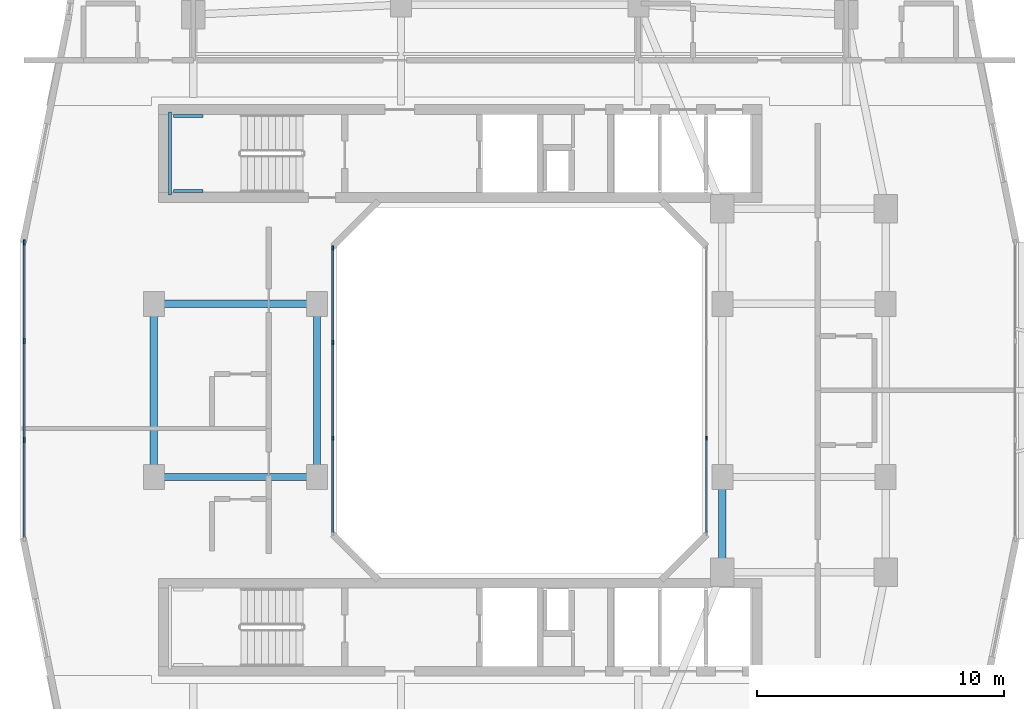
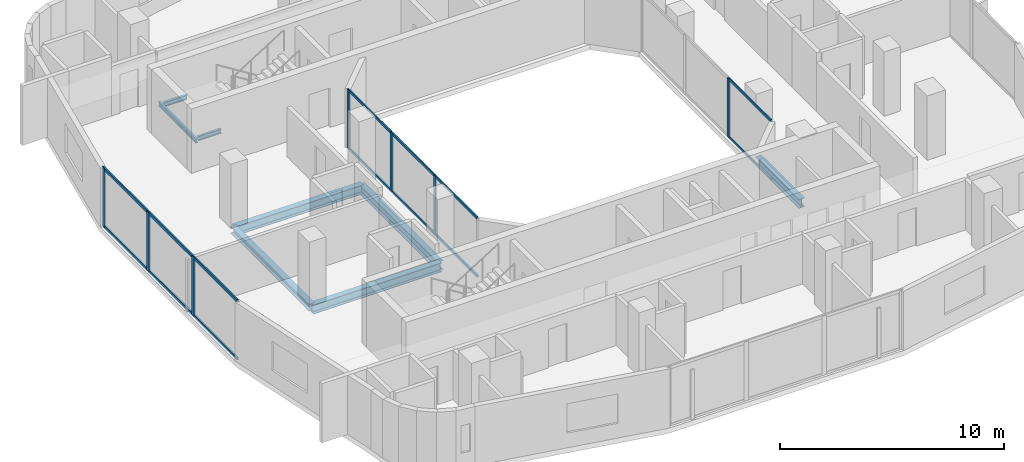
# One storey, part 3 of 26: 21 members, 8 beams, 3 elements without a shape of their own.
"""IFC4 building model written with IfcOpenShell, lengths in metres."""

from ifc_helpers import new_model, si_unit, derived_unit, direction, frame, origin, origin_2d, place, context, subcontext, project, spatial, rectangle, i_section, extrude, material, layer, layer_set, material_profile, profile_set, type_object, element, aggregate, save


model = new_model("IFC4")

# Units and contexts
model_context = context("Model", 3, precision=1e-05, world=origin(), true_north=direction((0.0, 1.0)))
body_context = subcontext(model_context, "Body", "Model", "MODEL_VIEW")
ifc_project = project(units=[si_unit("LENGTHUNIT", "METRE"), si_unit("AREAUNIT", "SQUARE_METRE"), si_unit("VOLUMEUNIT", "CUBIC_METRE"), si_unit("PLANEANGLEUNIT", "RADIAN"), si_unit("MASSUNIT", "GRAM", prefix="KILO"), derived_unit("THERMALTRANSMITTANCEUNIT", [(si_unit("POWERUNIT", "WATT"), 1), (si_unit("LENGTHUNIT", "METRE"), -2), (si_unit("THERMODYNAMICTEMPERATUREUNIT", "KELVIN"), -1)])], contexts=[model_context])

# Site, building, storey
site_placement = place(None, origin())
site = spatial("IfcSite", under=ifc_project, at=site_placement, CompositionType="ELEMENT")
building_placement = place(site_placement, origin())
building = spatial("IfcBuilding", under=site, at=building_placement, Name="Kivonza Crest Hotel", CompositionType="ELEMENT")
storey_placement = place(building_placement, frame((0.0, 0.0, 127.5)))
storey = spatial("IfcBuildingStorey", under=building, at=storey_placement, Name="L34", CompositionType="ELEMENT", Elevation=127.5)

# Beams
ifc_material_1 = material(Name="Steel S355", Category="steel")
ifc_material_profile_1 = material_profile(ifc_material_1, i_section(OverallWidth=0.300048828125, OverallDepth=0.360107421875, WebThickness=0.012451171875, FlangeThickness=0.0224609375, FilletRadius=0.027099609375, at=origin_2d()), Name="HEB 360")
ifc_profile_set_1 = profile_set([ifc_material_profile_1], Name="Steel S355")
beam_type_1 = type_object("IfcBeamType", Name="BM-HEB360", PredefinedType="SPANDREL", material=ifc_profile_set_1)
beam_1_placement = place(storey_placement, frame((6.199951171875, 28.5, -0.4599609375), z_axis=(0.0, -1.0, 0.0), x_axis=(1.0, 0.0, 0.0)))
element("IfcBeam", 1, at=beam_1_placement, inside=storey, type_object=beam_type_1, Name="Tower T1 L34 perimeter spandrel W2-W1", PredefinedType="SPANDREL", context=body_context, shape_type="SweptSolid", body=[
    extrude(i_section(OverallWidth=0.300048828125, OverallDepth=0.360107421875, WebThickness=0.012451171875, FlangeThickness=0.0224609375, FilletRadius=0.027099609375, at=origin_2d()), origin(), (0.0, 0.0, 1.0), 7.0),
])
ifc_material_profile_2 = material_profile(ifc_material_1, i_section(OverallWidth=0.300048828125, OverallDepth=0.5, WebThickness=0.014404296875, FlangeThickness=0.028076171875, FilletRadius=0.027099609375, at=origin_2d()), Name="HEB 500")
ifc_profile_set_2 = profile_set([ifc_material_profile_2], Name="Steel S355")
beam_type_2 = type_object("IfcBeamType", Name="BM-HEB500", PredefinedType="BEAM", material=ifc_profile_set_2)
for number, where, z_axis, x_axis, name in (
    (2, (6.199951171875, 21.5, -0.530029296875), (1.0, 0.0, 0.0), (0.0, 1.0, 0.0), "Tower T1 L34 primary girder W1-WL1"),
    (3, (6.199951171875, 28.5, -0.530029296875), (1.0, 0.0, 0.0), (0.0, 1.0, 0.0), "Tower T1 L34 primary girder W2-WL2"),
):
    element("IfcBeam", number, at=place(storey_placement, frame(where, z_axis=z_axis, x_axis=x_axis)), inside=storey, type_object=beam_type_2, Name=name, PredefinedType="BEAM", context=body_context, shape_type="SweptSolid", body=[
        extrude(i_section(OverallWidth=0.300048828125, OverallDepth=0.5, WebThickness=0.014404296875, FlangeThickness=0.028076171875, FilletRadius=0.027099609375, at=origin_2d()), origin(), (0.0, 0.0, 1.0), 6.60009765625),
    ])
beam_2_placement = place(storey_placement, frame((12.800048828125, 21.5, -0.530029296875), z_axis=(0.0, 1.0, 0.0), x_axis=(-1.0, 0.0, 0.0)))
element("IfcBeam", 4, at=beam_2_placement, inside=storey, type_object=beam_type_2, Name="Tower T1 L34 primary girder WL1-WL2", PredefinedType="BEAM", context=body_context, shape_type="SweptSolid", body=[
    extrude(i_section(OverallWidth=0.300048828125, OverallDepth=0.5, WebThickness=0.014404296875, FlangeThickness=0.028076171875, FilletRadius=0.027099609375, at=origin_2d()), origin(), (0.0, 0.0, 1.0), 7.0),
])
beam_3_placement = place(storey_placement, frame((29.199951171875, 17.64990234375, -0.530029296875), z_axis=(0.0, 1.0, 0.0), x_axis=(-1.0, 0.0, 0.0)))
element("IfcBeam", 5, at=beam_3_placement, inside=storey, type_object=beam_type_2, Name="Tower T1 L34 primary girder TSE-WR1", PredefinedType="BEAM", context=body_context, shape_type="SweptSolid", body=[
    extrude(i_section(OverallWidth=0.300048828125, OverallDepth=0.5, WebThickness=0.014404296875, FlangeThickness=0.028076171875, FilletRadius=0.027099609375, at=origin_2d()), origin(), (0.0, 0.0, 1.0), 3.85009765625),
])
ifc_material_profile_3 = material_profile(ifc_material_1, i_section(OverallWidth=0.1201171875, OverallDepth=0.239990234375, WebThickness=0.006103515625, FlangeThickness=0.009765625, FilletRadius=0.014892578125, at=origin_2d()), Name="IPE 240")
ifc_profile_set_3 = profile_set([ifc_material_profile_3], Name="Steel S355")
beam_type_3 = type_object("IfcBeamType", Name="BM-LLDG-240", PredefinedType="BEAM", material=ifc_profile_set_3)
beam_4_placement = place(storey_placement, frame((6.860107421875, 32.89990234375, 1.429931640625), z_axis=(0.0, 1.0, 0.0), x_axis=(-1.0, 0.0, 0.0)))
element("IfcBeam", 6, at=beam_4_placement, inside=storey, type_object=beam_type_3, Name="Stair ST-T1-N L34 West landing corbel", PredefinedType="BEAM", context=body_context, shape_type="SweptSolid", body=[
    extrude(i_section(OverallWidth=0.1201171875, OverallDepth=0.239990234375, WebThickness=0.006103515625, FlangeThickness=0.009765625, FilletRadius=0.014892578125, at=origin_2d()), origin(), (0.0, 0.0, 1.0), 3.360107421875),
])
for number, where, z_axis, x_axis, name in (
    (7, (6.989990234375, 33.06005859375, 1.429931640625), (1.0, 0.0, 0.0), (0.0, 1.0, 0.0), "Stair ST-T1-N L34 South landing corbel"),
    (8, (6.989990234375, 36.10009765625, 1.429931640625), (1.0, 0.0, 0.0), (0.0, 1.0, 0.0), "Stair ST-T1-N L34 North landing corbel"),
):
    element("IfcBeam", number, at=place(storey_placement, frame(where, z_axis=z_axis, x_axis=x_axis)), inside=storey, type_object=beam_type_3, Name=name, PredefinedType="BEAM", context=body_context, shape_type="SweptSolid", body=[
        extrude(i_section(OverallWidth=0.1201171875, OverallDepth=0.239990234375, WebThickness=0.006103515625, FlangeThickness=0.009765625, FilletRadius=0.014892578125, at=origin_2d()), origin(), (0.0, 0.0, 1.0), 1.2099609375),
    ])

# Curtain wall, member
ifc_material_2 = material(Name="Anodised bronze aluminium and low-E double glazing", Category="aluminium")
ifc_layer_1 = layer(ifc_material_2, 0.159912109375)
ifc_layer_set_1 = layer_set([ifc_layer_1], Name="Anodised bronze aluminium and low-E double glazing")
curtain_wall_type_1 = type_object("IfcCurtainWallType", Name="CW-SYS-5", PredefinedType="NOTDEFINED", material=ifc_layer_set_1)
curtain_wall_1_placement = place(storey_placement, origin())
curtain_wall_1 = element("IfcCurtainWall", 9, at=curtain_wall_1_placement, inside=storey, type_object=curtain_wall_type_1, Name="L34 unitised curtain wall CW-WELL-T1-L34-3", PredefinedType="NOTDEFINED")
ifc_material_3 = material(Name="Anodised bronze aluminium", Category="aluminium")
ifc_material_profile_4 = material_profile(ifc_material_3, rectangle(XDim=0.06494140625, YDim=0.179931640625, at=origin_2d()), Name="CW-M 65x180")
ifc_profile_set_4 = profile_set([ifc_material_profile_4], Name="Anodised bronze aluminium")
member_type_1 = type_object("IfcMemberType", Name="CW-MUL-65x180", PredefinedType="MULLION", material=ifc_profile_set_4)
member_1_placement = place(storey_placement, frame((28.56005859375, 23.066650390625, 0.0), z_axis=(0.0, 0.0, 1.0), x_axis=(-1.0, 0.0, 0.0)))
member_1 = element("IfcMember", 10, at=member_1_placement, type_object=member_type_1, Name="CW-5 mullion 2", PredefinedType="MULLION", context=body_context, shape_type="SweptSolid", body=[
    extrude(rectangle(XDim=0.06494140625, YDim=0.179931640625, at=origin_2d()), origin(), (0.0, 0.0, 1.0), 3.219970703125),
])

# Curtain wall, members
curtain_wall_2_placement = place(storey_placement, origin())
curtain_wall_2 = element("IfcCurtainWall", 11, at=curtain_wall_2_placement, inside=storey, type_object=curtain_wall_type_1, Name="L34 unitised curtain wall CW-WELL-T1-L34-7", PredefinedType="NOTDEFINED")
member_2_placement = place(storey_placement, frame((13.43994140625, 30.767578125, 0.0), z_axis=(0.0, 0.0, 1.0), x_axis=(1.0, 0.0, 0.0)))
member_2 = element("IfcMember", 12, at=member_2_placement, type_object=member_type_1, Name="CW-5 mullion 1", PredefinedType="MULLION", context=body_context, shape_type="SweptSolid", body=[
    extrude(rectangle(XDim=0.06494140625, YDim=0.179931640625, at=origin_2d()), origin(), (0.0, 0.0, 1.0), 3.219970703125),
])
member_3_placement = place(storey_placement, frame((13.43994140625, 26.933349609375, 0.0), z_axis=(0.0, 0.0, 1.0), x_axis=(1.0, 0.0, 0.0)))
member_3 = element("IfcMember", 13, at=member_3_placement, type_object=member_type_1, Name="CW-5 mullion 2", PredefinedType="MULLION", context=body_context, shape_type="SweptSolid", body=[
    extrude(rectangle(XDim=0.06494140625, YDim=0.179931640625, at=origin_2d()), origin(), (0.0, 0.0, 1.0), 3.219970703125),
])
member_4_placement = place(storey_placement, frame((13.43994140625, 23.066650390625, 0.0), z_axis=(0.0, 0.0, 1.0), x_axis=(1.0, 0.0, 0.0)))
member_4 = element("IfcMember", 14, at=member_4_placement, type_object=member_type_1, Name="CW-5 mullion 3", PredefinedType="MULLION", context=body_context, shape_type="SweptSolid", body=[
    extrude(rectangle(XDim=0.06494140625, YDim=0.179931640625, at=origin_2d()), origin(), (0.0, 0.0, 1.0), 3.219970703125),
])

ifc_layer_2 = layer(ifc_material_2, 0.179931640625)
ifc_layer_set_2 = layer_set([ifc_layer_2], Name="Anodised bronze aluminium and low-E double glazing")
curtain_wall_type_2 = type_object("IfcCurtainWallType", Name="CW-SYS-3", PredefinedType="NOTDEFINED", material=ifc_layer_set_2)
curtain_wall_3_placement = place(storey_placement, origin())
curtain_wall_3 = element("IfcCurtainWall", 15, at=curtain_wall_3_placement, inside=storey, type_object=curtain_wall_type_2, Name="L34 unitised curtain wall CW-T1-L34-35", PredefinedType="NOTDEFINED")
ifc_material_profile_5 = material_profile(ifc_material_3, rectangle(XDim=0.074951171875, YDim=0.219970703125, at=origin_2d()), Name="CW-M 75x220")
ifc_profile_set_5 = profile_set([ifc_material_profile_5], Name="Anodised bronze aluminium")
member_type_2 = type_object("IfcMemberType", Name="CW-MUL-75x220", PredefinedType="MULLION", material=ifc_profile_set_5)
member_5_placement = place(storey_placement, frame((0.9599609375, 30.982421875, 0.0), z_axis=(0.0, 0.0, 1.0), x_axis=(1.0, 0.0, 0.0)))
member_5 = element("IfcMember", 16, at=member_5_placement, type_object=member_type_2, Name="CW-3 mullion 1", PredefinedType="MULLION", context=body_context, shape_type="SweptSolid", body=[
    extrude(rectangle(XDim=0.074951171875, YDim=0.219970703125, at=origin_2d()), origin(), (0.0, 0.0, 1.0), 3.219970703125),
])
member_6_placement = place(storey_placement, frame((0.9599609375, 27.006591796875, 0.0), z_axis=(0.0, 0.0, 1.0), x_axis=(1.0, 0.0, 0.0)))
member_6 = element("IfcMember", 17, at=member_6_placement, type_object=member_type_2, Name="CW-3 mullion 2", PredefinedType="MULLION", context=body_context, shape_type="SweptSolid", body=[
    extrude(rectangle(XDim=0.074951171875, YDim=0.219970703125, at=origin_2d()), origin(), (0.0, 0.0, 1.0), 3.219970703125),
])
member_7_placement = place(storey_placement, frame((0.9599609375, 22.993408203125, 0.0), z_axis=(0.0, 0.0, 1.0), x_axis=(1.0, 0.0, 0.0)))
member_7 = element("IfcMember", 18, at=member_7_placement, type_object=member_type_2, Name="CW-3 mullion 3", PredefinedType="MULLION", context=body_context, shape_type="SweptSolid", body=[
    extrude(rectangle(XDim=0.074951171875, YDim=0.219970703125, at=origin_2d()), origin(), (0.0, 0.0, 1.0), 3.219970703125),
])

# Member
ifc_material_profile_6 = material_profile(ifc_material_3, rectangle(XDim=0.06494140625, YDim=0.139892578125, at=origin_2d()), Name="CW-T 65x140")
ifc_profile_set_6 = profile_set([ifc_material_profile_6], Name="Anodised bronze aluminium")
member_type_3 = type_object("IfcMemberType", Name="CW-TRN-65x140", PredefinedType="USERDEFINED", material=ifc_profile_set_6)
member_8_placement = place(storey_placement, frame((28.56005859375, 19.264892578125, 0.032470703125), z_axis=(0.0, 1.0, 0.0), x_axis=(-1.0, 0.0, 0.0)))
member_8 = element("IfcMember", 19, at=member_8_placement, type_object=member_type_3, Name="CW-5 transom 1.1", ObjectType="TRANSOM", PredefinedType="USERDEFINED", context=body_context, shape_type="SweptSolid", body=[
    extrude(rectangle(XDim=0.06494140625, YDim=0.139892578125, at=origin_2d()), origin(), (0.0, 0.0, 1.0), 3.769287109375),
])

member_9_placement = place(storey_placement, frame((28.56005859375, 19.264892578125, 3.1875), z_axis=(0.0, 1.0, 0.0), x_axis=(-1.0, 0.0, 0.0)))
member_9 = element("IfcMember", 20, at=member_9_placement, type_object=member_type_3, Name="CW-5 transom 1.2", ObjectType="TRANSOM", PredefinedType="USERDEFINED", context=body_context, shape_type="SweptSolid", body=[
    extrude(rectangle(XDim=0.06494140625, YDim=0.139892578125, at=origin_2d()), origin(), (0.0, 0.0, 1.0), 3.769287109375),
])

aggregate(curtain_wall_1, [member_1, member_8, member_9])

member_10_placement = place(storey_placement, frame((13.43994140625, 30.735107421875, 0.032470703125), z_axis=(0.0, -1.0, 0.0), x_axis=(1.0, 0.0, 0.0)))
member_10 = element("IfcMember", 21, at=member_10_placement, type_object=member_type_3, Name="CW-5 transom 1.1", ObjectType="TRANSOM", PredefinedType="USERDEFINED", context=body_context, shape_type="SweptSolid", body=[
    extrude(rectangle(XDim=0.06494140625, YDim=0.139892578125, at=origin_2d()), origin(), (0.0, 0.0, 1.0), 3.769287109375),
])

member_11_placement = place(storey_placement, frame((13.43994140625, 30.735107421875, 3.1875), z_axis=(0.0, -1.0, 0.0), x_axis=(1.0, 0.0, 0.0)))
member_11 = element("IfcMember", 22, at=member_11_placement, type_object=member_type_3, Name="CW-5 transom 1.2", ObjectType="TRANSOM", PredefinedType="USERDEFINED", context=body_context, shape_type="SweptSolid", body=[
    extrude(rectangle(XDim=0.06494140625, YDim=0.139892578125, at=origin_2d()), origin(), (0.0, 0.0, 1.0), 3.769287109375),
])

member_12_placement = place(storey_placement, frame((13.43994140625, 26.90087890625, 0.032470703125), z_axis=(0.0, -1.0, 0.0), x_axis=(1.0, 0.0, 0.0)))
member_12 = element("IfcMember", 23, at=member_12_placement, type_object=member_type_3, Name="CW-5 transom 2.1", ObjectType="TRANSOM", PredefinedType="USERDEFINED", context=body_context, shape_type="SweptSolid", body=[
    extrude(rectangle(XDim=0.06494140625, YDim=0.139892578125, at=origin_2d()), origin(), (0.0, 0.0, 1.0), 3.8017578125),
])

member_13_placement = place(storey_placement, frame((13.43994140625, 26.90087890625, 3.1875), z_axis=(0.0, -1.0, 0.0), x_axis=(1.0, 0.0, 0.0)))
member_13 = element("IfcMember", 24, at=member_13_placement, type_object=member_type_3, Name="CW-5 transom 2.2", ObjectType="TRANSOM", PredefinedType="USERDEFINED", context=body_context, shape_type="SweptSolid", body=[
    extrude(rectangle(XDim=0.06494140625, YDim=0.139892578125, at=origin_2d()), origin(), (0.0, 0.0, 1.0), 3.8017578125),
])

member_14_placement = place(storey_placement, frame((13.43994140625, 23.0341796875, 0.032470703125), z_axis=(0.0, -1.0, 0.0), x_axis=(1.0, 0.0, 0.0)))
member_14 = element("IfcMember", 25, at=member_14_placement, type_object=member_type_3, Name="CW-5 transom 3.1", ObjectType="TRANSOM", PredefinedType="USERDEFINED", context=body_context, shape_type="SweptSolid", body=[
    extrude(rectangle(XDim=0.06494140625, YDim=0.139892578125, at=origin_2d()), origin(), (0.0, 0.0, 1.0), 3.769287109375),
])

member_15_placement = place(storey_placement, frame((13.43994140625, 23.0341796875, 3.1875), z_axis=(0.0, -1.0, 0.0), x_axis=(1.0, 0.0, 0.0)))
member_15 = element("IfcMember", 26, at=member_15_placement, type_object=member_type_3, Name="CW-5 transom 3.2", ObjectType="TRANSOM", PredefinedType="USERDEFINED", context=body_context, shape_type="SweptSolid", body=[
    extrude(rectangle(XDim=0.06494140625, YDim=0.139892578125, at=origin_2d()), origin(), (0.0, 0.0, 1.0), 3.769287109375),
])

aggregate(curtain_wall_2, [member_2, member_3, member_4, member_10, member_11, member_12, member_13, member_14, member_15])

ifc_material_profile_7 = material_profile(ifc_material_3, rectangle(XDim=0.074951171875, YDim=0.159912109375, at=origin_2d()), Name="CW-T 75x160")
ifc_profile_set_7 = profile_set([ifc_material_profile_7], Name="Anodised bronze aluminium")
member_type_4 = type_object("IfcMemberType", Name="CW-TRN-75x160", PredefinedType="USERDEFINED", material=ifc_profile_set_7)
member_16_placement = place(storey_placement, frame((0.9599609375, 30.945068359375, 0.03759765625), z_axis=(0.0, -1.0, 0.0), x_axis=(1.0, 0.0, 0.0)))
member_16 = element("IfcMember", 27, at=member_16_placement, type_object=member_type_4, Name="CW-3 transom 1.1", ObjectType="TRANSOM", PredefinedType="USERDEFINED", context=body_context, shape_type="SweptSolid", body=[
    extrude(rectangle(XDim=0.074951171875, YDim=0.159912109375, at=origin_2d()), origin(), (0.0, 0.0, 1.0), 3.90087890625),
])

member_17_placement = place(storey_placement, frame((0.9599609375, 30.945068359375, 3.1826171875), z_axis=(0.0, -1.0, 0.0), x_axis=(1.0, 0.0, 0.0)))
member_17 = element("IfcMember", 28, at=member_17_placement, type_object=member_type_4, Name="CW-3 transom 1.2", ObjectType="TRANSOM", PredefinedType="USERDEFINED", context=body_context, shape_type="SweptSolid", body=[
    extrude(rectangle(XDim=0.074951171875, YDim=0.159912109375, at=origin_2d()), origin(), (0.0, 0.0, 1.0), 3.90087890625),
])

member_18_placement = place(storey_placement, frame((0.9599609375, 26.96923828125, 0.03759765625), z_axis=(0.0, -1.0, 0.0), x_axis=(1.0, 0.0, 0.0)))
member_18 = element("IfcMember", 29, at=member_18_placement, type_object=member_type_4, Name="CW-3 transom 2.1", ObjectType="TRANSOM", PredefinedType="USERDEFINED", context=body_context, shape_type="SweptSolid", body=[
    extrude(rectangle(XDim=0.074951171875, YDim=0.159912109375, at=origin_2d()), origin(), (0.0, 0.0, 1.0), 3.9384765625),
])

member_19_placement = place(storey_placement, frame((0.9599609375, 26.96923828125, 3.1826171875), z_axis=(0.0, -1.0, 0.0), x_axis=(1.0, 0.0, 0.0)))
member_19 = element("IfcMember", 30, at=member_19_placement, type_object=member_type_4, Name="CW-3 transom 2.2", ObjectType="TRANSOM", PredefinedType="USERDEFINED", context=body_context, shape_type="SweptSolid", body=[
    extrude(rectangle(XDim=0.074951171875, YDim=0.159912109375, at=origin_2d()), origin(), (0.0, 0.0, 1.0), 3.9384765625),
])

member_20_placement = place(storey_placement, frame((0.9599609375, 22.955810546875, 0.03759765625), z_axis=(0.0, -1.0, 0.0), x_axis=(1.0, 0.0, 0.0)))
member_20 = element("IfcMember", 31, at=member_20_placement, type_object=member_type_4, Name="CW-3 transom 3.1", ObjectType="TRANSOM", PredefinedType="USERDEFINED", context=body_context, shape_type="SweptSolid", body=[
    extrude(rectangle(XDim=0.074951171875, YDim=0.159912109375, at=origin_2d()), origin(), (0.0, 0.0, 1.0), 3.90087890625),
])

member_21_placement = place(storey_placement, frame((0.9599609375, 22.955810546875, 3.1826171875), z_axis=(0.0, -1.0, 0.0), x_axis=(1.0, 0.0, 0.0)))
member_21 = element("IfcMember", 32, at=member_21_placement, type_object=member_type_4, Name="CW-3 transom 3.2", ObjectType="TRANSOM", PredefinedType="USERDEFINED", context=body_context, shape_type="SweptSolid", body=[
    extrude(rectangle(XDim=0.074951171875, YDim=0.159912109375, at=origin_2d()), origin(), (0.0, 0.0, 1.0), 3.90087890625),
])

aggregate(curtain_wall_3, [member_5, member_6, member_7, member_16, member_17, member_18, member_19, member_20, member_21])

save(model, "model.ifc")
